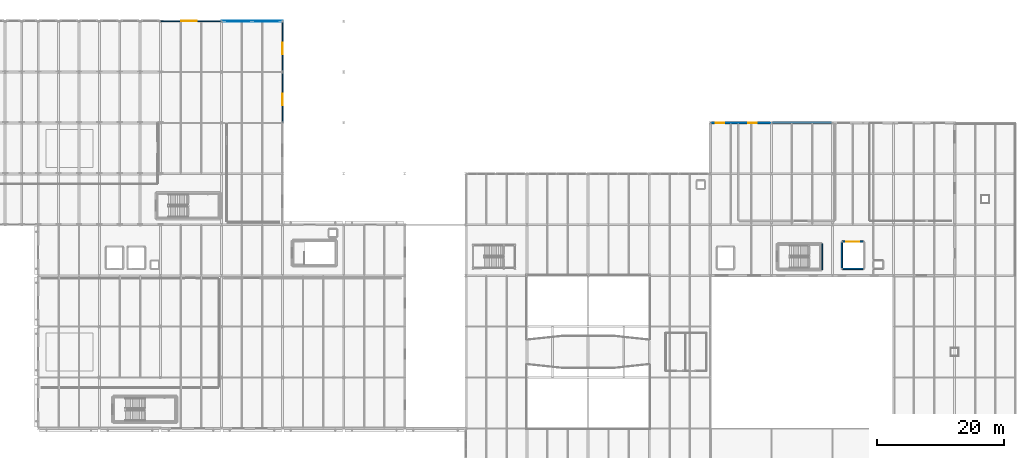
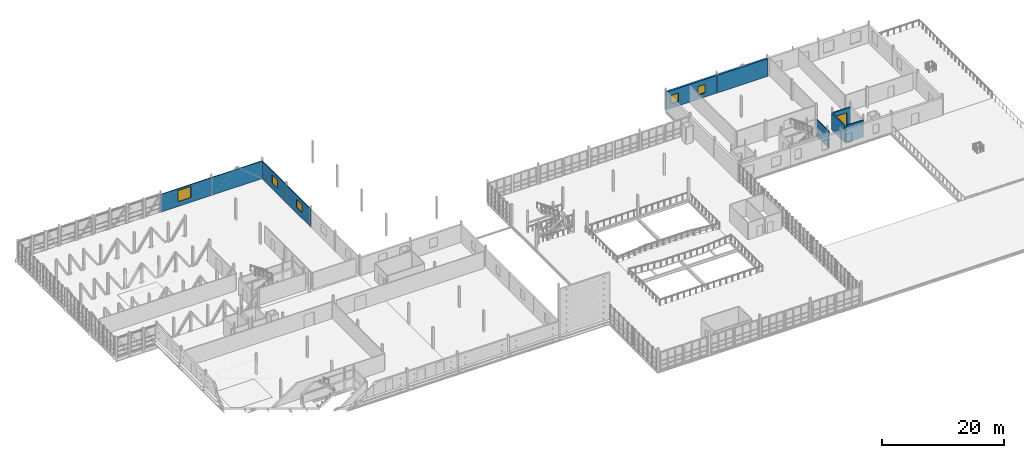
# One storey, part 63 of 73: 10 walls, 5 windows, 1 door, 6 openings.
"""IFC4 building model written with IfcOpenShell, lengths in metres."""

import ifcopenshell
import ifcopenshell.guid

model = None  # the IFC model being written
_history = None  # IfcOwnerHistory: only IFC2X3 demands one
_inside = {}  # id of a spatial element -> (the spatial element, [elements in it])
_under = {}  # id of a project, library or spatial element -> (it, [spatial elements below it])
_declared = {}  # id of a project -> (the project, [libraries it declares])
_typed = {}  # id of a type object -> (the type object, [elements of that type])
_made_of = {}  # id of a material, layer set ... -> (it, [elements and type objects made of it])


def new_model(schema):
    """Start an empty IFC model of exactly this schema.

    Asked for "IFC4X3", IfcOpenShell would pick the latest addendum, in which some entities
    have other attributes; the version numbers below select the first issue.
    IFC2X3 requires an IfcOwnerHistory on every rooted entity: one is made here for all.
    """
    global model, _history
    if schema == "IFC4X3":
        model = ifcopenshell.file(schema_version=(4, 3, 0, 0))
    else:
        model = ifcopenshell.file(schema=schema)
    _inside.clear()
    _under.clear()
    _declared.clear()
    _typed.clear()
    _made_of.clear()
    _history = None
    if model.schema == "IFC2X3":
        org = make("IfcOrganization", Name="unknown")
        user = make(
            "IfcPersonAndOrganization",
            ThePerson=make("IfcPerson", FamilyName="unknown"),
            TheOrganization=org,
        )
        app = make(
            "IfcApplication",
            ApplicationDeveloper=org,
            Version="unknown",
            ApplicationFullName="unknown",
            ApplicationIdentifier="unknown",
        )
        _history = make(
            "IfcOwnerHistory",
            OwningUser=user,
            OwningApplication=app,
            ChangeAction="ADDED",
            CreationDate=0,
        )
    return model


def make(cls, **values):
    """One entity of the class cls with the attributes given. An attribute that is None is left unset."""
    return model.create_entity(
        cls, **{name: value for name, value in values.items() if value is not None}
    )


def rooted(cls, **values):
    """An entity with a GlobalId (a new one), such as an element, a storey or a relation."""
    return make(cls, GlobalId=ifcopenshell.guid.new(), OwnerHistory=_history, **values)


def si_unit(unit_type, name, prefix=None):
    """IfcSIUnit, for example si_unit("LENGTHUNIT", "METRE", prefix="MILLI")."""
    return make("IfcSIUnit", UnitType=unit_type, Prefix=prefix, Name=name)


def assignment(units):
    """IfcUnitAssignment: the units of a project."""
    return None if units is None else make("IfcUnitAssignment", Units=units)


def point(xyz):
    """IfcCartesianPoint."""
    return None if xyz is None else make("IfcCartesianPoint", Coordinates=xyz)


def direction(xyz):
    """IfcDirection."""
    return None if xyz is None else make("IfcDirection", DirectionRatios=xyz)


def frame(location, z_axis=None, x_axis=None):
    """IfcAxis2Placement3D, a coordinate frame: its origin and axes. An axis left out is left unset."""
    return make(
        "IfcAxis2Placement3D",
        Location=point(location),
        Axis=direction(z_axis),
        RefDirection=direction(x_axis),
    )


def frame_2d(location, x_axis=None):
    """IfcAxis2Placement2D, a coordinate frame in the plane: its origin and x axis."""
    return make(
        "IfcAxis2Placement2D", Location=point(location), RefDirection=direction(x_axis)
    )


def origin():
    """The frame at (0, 0, 0) with its axes left unset."""
    return frame((0.0, 0.0, 0.0))


def place(relative_to, where):
    """IfcLocalPlacement: puts the frame where relative to a parent placement (None: the world)."""
    return make(
        "IfcLocalPlacement", PlacementRelTo=relative_to, RelativePlacement=where
    )


def context(
    kind, dimensions, precision=None, world=None, true_north=None, identifier=None
):
    """IfcGeometricRepresentationContext, for example the 3D "Model" context."""
    return make(
        "IfcGeometricRepresentationContext",
        ContextIdentifier=identifier,
        ContextType=kind,
        CoordinateSpaceDimension=dimensions,
        Precision=precision,
        WorldCoordinateSystem=world,
        TrueNorth=true_north,
    )


def subcontext(parent, identifier, kind, view, scale=None):
    """IfcGeometricRepresentationSubContext, for example "Body" below "Model"."""
    return make(
        "IfcGeometricRepresentationSubContext",
        ContextIdentifier=identifier,
        ContextType=kind,
        ParentContext=parent,
        TargetScale=scale,
        TargetView=view,
    )


def project(units=None, contexts=None):
    """IfcProject with its units and contexts."""
    return rooted(
        "IfcProject",
        Name="project",
        RepresentationContexts=contexts,
        UnitsInContext=assignment(units),
    )


def spatial(cls, under=None, at=None, **own):
    """A site, building, storey or space (cls), placed at a placement, below another one or the project."""
    s = rooted(cls, ObjectPlacement=at, **own)
    if under is not None:
        _under.setdefault(under.id(), (under, []))[1].append(s)
    return s


def profile(cls, at=None, kind="AREA", **sizes):
    """A parametric profile (cls). Its sizes go by their IFC names, for example OverallWidth=200.0."""
    return make(cls, ProfileType=kind, Position=at, **sizes)


def rectangle(**sizes):
    """IfcRectangleProfileDef."""
    return profile("IfcRectangleProfileDef", **sizes)


def extrude(swept, where, along, depth):
    """IfcExtrudedAreaSolid: the profile swept, set in the frame where, extruded along a direction by depth."""
    return make(
        "IfcExtrudedAreaSolid",
        SweptArea=swept,
        Position=where,
        ExtrudedDirection=direction(along),
        Depth=depth,
    )


def shape(context_of_items, identifier, shape_type, items):
    """IfcShapeRepresentation: the items that make up one representation, for example the "Body"."""
    return make(
        "IfcShapeRepresentation",
        ContextOfItems=context_of_items,
        RepresentationIdentifier=identifier,
        RepresentationType=shape_type,
        Items=items,
    )


def material(Name=None, Category=None):
    """IfcMaterial."""
    return make("IfcMaterial", Name=Name, Category=Category)


def layer(
    of_material, thickness, ventilated=None, Name=None, Category=None, Priority=None
):
    """IfcMaterialLayer: one layer of a wall or slab, of a material (None: an air gap)."""
    return make(
        "IfcMaterialLayer",
        Material=of_material,
        LayerThickness=thickness,
        IsVentilated=ventilated,
        Name=Name,
        Category=Category,
        Priority=Priority,
    )


def layer_set(layers, Name=None):
    """IfcMaterialLayerSet."""
    return make("IfcMaterialLayerSet", MaterialLayers=layers, LayerSetName=Name)


def made_of(thing, what):
    """Note that an element or type object is made of a material, layer set ...; save() writes the relation."""
    if what is not None:
        _made_of.setdefault(what.id(), (what, []))[1].append(thing)
    return thing


def type_object(cls, material=None, **own):
    """A type object (cls), such as IfcWallType, which elements share."""
    return made_of(rooted(cls, **own), material)


def element(
    cls,
    number,
    at=None,
    inside=None,
    cuts=None,
    type_object=None,
    material=None,
    context=None,
    identifier="Body",
    shape_type=None,
    held_by="IfcProductDefinitionShape",
    body=None,
    shapes=None,
    **own,
):
    """One element of the class cls, such as IfcWall. Its Tag is "e" and its number.

    at: its placement. inside: the storey or other place that contains it. cuts: it is an
    opening in that element (IfcRelVoidsElement). A single representation is given by context,
    identifier, shape_type and body (its items); several are given by shapes. held_by: the class
    of the entity that holds the representations. save() writes the other relations.
    """
    e = rooted(cls, Tag="e%d" % number, ObjectPlacement=at, **own)
    if body is not None:
        shapes = [shape(context, identifier, shape_type, body)]
    if shapes is not None:
        e.Representation = make(held_by, Representations=shapes)
    if inside is not None:
        _inside.setdefault(inside.id(), (inside, []))[1].append(e)
    if cuts is not None:
        rooted(
            "IfcRelVoidsElement", RelatingBuildingElement=cuts, RelatedOpeningElement=e
        )
    if type_object is not None:
        _typed.setdefault(type_object.id(), (type_object, []))[1].append(e)
    return made_of(e, material)


def fill(opening, filler):
    """IfcRelFillsElement: the door or window that sits in an opening."""
    return rooted(
        "IfcRelFillsElement",
        RelatingOpeningElement=opening,
        RelatedBuildingElement=filler,
    )


def aggregate(whole, parts):
    """IfcRelAggregates: a whole, such as a stair, and the parts it consists of."""
    return rooted("IfcRelAggregates", RelatingObject=whole, RelatedObjects=parts)


def save(model, path):
    """Write the relations noted so far, then the file.

    IfcRelAggregates (storeys below a building ...), IfcRelContainedInSpatialStructure (elements
    in a storey), IfcRelDefinesByType, IfcRelAssociatesMaterial and IfcRelDeclares: one each for
    every whole, place, type object, material and project.
    """
    for whole, parts in _under.values():
        aggregate(whole, parts)
    for where, things in _inside.values():
        rooted(
            "IfcRelContainedInSpatialStructure",
            RelatedElements=things,
            RelatingStructure=where,
        )
    for kind, things in _typed.values():
        rooted("IfcRelDefinesByType", RelatedObjects=things, RelatingType=kind)
    for what, things in _made_of.values():
        rooted("IfcRelAssociatesMaterial", RelatedObjects=things, RelatingMaterial=what)
    for by, libraries in _declared.values():
        rooted("IfcRelDeclares", RelatingContext=by, RelatedDefinitions=libraries)
    model.write(path)


model = new_model("IFC4")

# Units and contexts
model_context = context("Model", 3, precision=1e-05, world=origin(), true_north=direction((0.0, 1.0)))
body_context = subcontext(model_context, "Body", "Model", "MODEL_VIEW")
ifc_project = project(units=[si_unit("LENGTHUNIT", "METRE"), si_unit("AREAUNIT", "SQUARE_METRE"), si_unit("VOLUMEUNIT", "CUBIC_METRE"), si_unit("PLANEANGLEUNIT", "RADIAN"), si_unit("MASSUNIT", "GRAM", prefix="KILO")], contexts=[model_context])

# Site, building, storey
site_placement = place(None, origin())
site = spatial("IfcSite", under=ifc_project, at=site_placement, CompositionType="ELEMENT")
building_placement = place(site_placement, origin())
building = spatial("IfcBuilding", under=site, at=building_placement, Name="Alderhovde Museum", CompositionType="ELEMENT")
storey_placement = place(building_placement, frame((0.0, 0.0, 12.89990234375)))
storey = spatial("IfcBuildingStorey", under=building, at=storey_placement, Name="L03", CompositionType="ELEMENT", Elevation=12.89990234375)

# Wall, opening, window
ifc_material_1 = material(Name="Limestone Ashlar Rainscreen Wall", Category="masonry")
ifc_layer_1 = layer(ifc_material_1, 0.14990234375)
ifc_layer_set_1 = layer_set([ifc_layer_1], Name="Limestone Ashlar Rainscreen Wall")
wall_type_1 = type_object("IfcWallType", Name="EW-LIME-340", PredefinedType="SOLIDWALL", material=ifc_layer_set_1)
wall_1_placement = place(storey_placement, frame((28.820068359375, 112.0, 0.0), z_axis=(0.0, 0.0, 1.0), x_axis=(1.0, 0.0, 0.0)))
wall_1 = element("IfcWall", 1, at=wall_1_placement, inside=storey, type_object=wall_type_1, Name="L03 Paleontology North Pier Wall 154", PredefinedType="SOLIDWALL", context=body_context, shape_type="SweptSolid", body=[
    extrude(rectangle(XDim=9.559814453125, YDim=0.14990234375, at=frame_2d((4.77978515625, 0.0))), origin(), (0.0, 0.0, 1.0), 3.5400390625),
])
opening_1_placement = place(wall_1_placement, frame((3.25, 0.0, 0.949951171875)))
opening_1 = element("IfcOpeningElement", 2, at=opening_1_placement, cuts=wall_1, Name="Opening W15", PredefinedType="OPENING", context=body_context, shape_type="SweptSolid", body=[
    extrude(rectangle(XDim=2.39990234375, YDim=2.199951171875, at=frame_2d((1.199951171875, 1.10009765625))), frame((0.0, 0.0849609375, 0.0), z_axis=(0.0, -1.0, 0.0), x_axis=(1.0, 0.0, 0.0)), (0.0, 0.0, 1.0), 0.169921875),
])
ifc_material_2 = material(Name="Triple-Glazed Low-E Bronze-Anodised Aluminium", Category="aluminium")
window_type_1 = type_object("IfcWindowType", Name="WIN-LAB-2400x2200", PartitioningType="DOUBLE_PANEL_VERTICAL", PredefinedType="WINDOW", material=ifc_material_2)
window_1_placement = place(opening_1_placement, origin())
window_1 = element("IfcWindow", 3, at=window_1_placement, inside=storey, type_object=window_type_1, Name="L03 Facade Window 135", OverallHeight=2.199951171875, OverallWidth=2.39990234375, PartitioningType="SINGLE_PANEL", PredefinedType="WINDOW", context=body_context, shape_type="SweptSolid", body=[
    extrude(rectangle(XDim=2.39990234375, YDim=2.199951171875, at=frame_2d((1.199951171875, 1.10009765625))), frame((0.0, 0.030029296875, 0.0), z_axis=(0.0, -1.0, 0.0), x_axis=(1.0, 0.0, 0.0)), (0.0, 0.0, 1.0), 0.06005859375),
])
fill(opening_1, window_1)

# Wall
wall_2_placement = place(storey_placement, frame((38.419921875, 112.0, 0.0), z_axis=(0.0, 0.0, 1.0), x_axis=(1.0, 0.0, 0.0)))
element("IfcWall", 4, at=wall_2_placement, inside=storey, type_object=wall_type_1, Name="L03 Paleontology North Pier Wall 155", PredefinedType="SOLIDWALL", context=body_context, shape_type="SweptSolid", body=[
    extrude(rectangle(XDim=9.56005859375, YDim=0.14990234375, at=frame_2d((4.780029296875, 0.0))), origin(), (0.0, 0.0, 1.0), 3.5400390625),
])

# Wall, opening, window
wall_3_placement = place(storey_placement, frame((48.0, 96.02001953125, 0.0), z_axis=(0.0, 0.0, 1.0), x_axis=(0.0, 1.0, 0.0)))
wall_3 = element("IfcWall", 5, at=wall_3_placement, inside=storey, type_object=wall_type_1, Name="L03 Paleontology East Step Wall 158", PredefinedType="SOLIDWALL", context=body_context, shape_type="SweptSolid", body=[
    extrude(rectangle(XDim=7.9599609375, YDim=0.14990234375, at=frame_2d((3.97998046875, 0.0))), origin(), (0.0, 0.0, 1.0), 3.5400390625),
])
opening_2_placement = place(wall_3_placement, frame((2.75, 0.0, 1.14990234375)))
opening_2 = element("IfcOpeningElement", 6, at=opening_2_placement, cuts=wall_3, Name="Opening W13", PredefinedType="OPENING", context=body_context, shape_type="SweptSolid", body=[
    extrude(rectangle(XDim=1.800048828125, YDim=1.60009765625, at=frame_2d((0.89990234375, 0.800048828125))), frame((0.0, 0.0849609375, 0.0), z_axis=(0.0, -1.0, 0.0), x_axis=(1.0, 0.0, 0.0)), (0.0, 0.0, 1.0), 0.169921875),
])
ifc_material_3 = material(Name="Triple-Glazed Low-E Bronze-Anodised Aluminium", Category="aluminium")
window_type_2 = type_object("IfcWindowType", Name="WIN-ATT-1800x1600", PartitioningType="DOUBLE_PANEL_VERTICAL", PredefinedType="WINDOW", material=ifc_material_3)
window_2_placement = place(opening_2_placement, origin())
window_2 = element("IfcWindow", 7, at=window_2_placement, inside=storey, type_object=window_type_2, Name="L03 Facade Window 138", OverallHeight=1.60009765625, OverallWidth=1.800048828125, PartitioningType="SINGLE_PANEL", PredefinedType="WINDOW", context=body_context, shape_type="SweptSolid", body=[
    extrude(rectangle(XDim=1.800048828125, YDim=1.60009765625, at=frame_2d((0.89990234375, 0.800048828125))), frame((0.0, 0.030029296875, 0.0), z_axis=(0.0, -1.0, 0.0), x_axis=(1.0, 0.0, 0.0)), (0.0, 0.0, 1.0), 0.06005859375),
])
fill(opening_2, window_2)

wall_4_placement = place(storey_placement, frame((48.0, 104.02001953125, 0.0), z_axis=(0.0, 0.0, 1.0), x_axis=(0.0, 1.0, 0.0)))
wall_4 = element("IfcWall", 8, at=wall_4_placement, inside=storey, type_object=wall_type_1, Name="L03 Paleontology East Step Wall 159", PredefinedType="SOLIDWALL", context=body_context, shape_type="SweptSolid", body=[
    extrude(rectangle(XDim=7.9599609375, YDim=0.14990234375, at=frame_2d((3.97998046875, 0.0))), origin(), (0.0, 0.0, 1.0), 3.5400390625),
])
opening_3_placement = place(wall_4_placement, frame((2.75, 0.0, 1.14990234375)))
opening_3 = element("IfcOpeningElement", 9, at=opening_3_placement, cuts=wall_4, Name="Opening W13", PredefinedType="OPENING", context=body_context, shape_type="SweptSolid", body=[
    extrude(rectangle(XDim=1.800048828125, YDim=1.60009765625, at=frame_2d((0.89990234375, 0.800048828125))), frame((0.0, 0.0849609375, 0.0), z_axis=(0.0, -1.0, 0.0), x_axis=(1.0, 0.0, 0.0)), (0.0, 0.0, 1.0), 0.169921875),
])
window_3_placement = place(opening_3_placement, origin())
window_3 = element("IfcWindow", 10, at=window_3_placement, inside=storey, type_object=window_type_2, Name="L03 Facade Window 139", OverallHeight=1.60009765625, OverallWidth=1.800048828125, PartitioningType="SINGLE_PANEL", PredefinedType="WINDOW", context=body_context, shape_type="SweptSolid", body=[
    extrude(rectangle(XDim=1.800048828125, YDim=1.60009765625, at=frame_2d((0.89990234375, 0.800048828125))), frame((0.0, 0.030029296875, 0.0), z_axis=(0.0, -1.0, 0.0), x_axis=(1.0, 0.0, 0.0)), (0.0, 0.0, 1.0), 0.06005859375),
])
fill(opening_3, window_3)

# Wall, openings, windows
ifc_material_4 = material(Name="Fluted Jura Limestone Beaux-Arts Wall", Category="masonry")
ifc_layer_2 = layer(ifc_material_4, 0.3798828125)
ifc_layer_set_2 = layer_set([ifc_layer_2], Name="Fluted Jura Limestone Beaux-Arts Wall")
wall_type_2 = type_object("IfcWallType", Name="EW-LIME-380", PredefinedType="SOLIDWALL", material=ifc_layer_set_2)
wall_5_placement = place(storey_placement, frame((115.219970703125, 96.0, 0.0), z_axis=(0.0, 0.0, 1.0), x_axis=(1.0, 0.0, 0.0)))
wall_5 = element("IfcWall", 11, at=wall_5_placement, inside=storey, type_object=wall_type_2, Name="L03 Conservation North Beaux-Arts Wall 238", PredefinedType="SOLIDWALL", context=body_context, shape_type="SweptSolid", body=[
    extrude(rectangle(XDim=9.56005859375, YDim=0.3798828125, at=frame_2d((4.780029296875, 0.0))), origin(), (0.0, 0.0, 1.0), 3.5400390625),
])
opening_4_placement = place(wall_5_placement, frame((0.85009765625, 0.0, 0.85009765625)))
opening_4 = element("IfcOpeningElement", 12, at=opening_4_placement, cuts=wall_5, Name="Opening W28", PredefinedType="OPENING", context=body_context, shape_type="SweptSolid", body=[
    extrude(rectangle(XDim=1.35009765625, YDim=1.699951171875, at=frame_2d((0.675048828125, 0.85009765625))), frame((0.0, 0.199951171875, 0.0), z_axis=(0.0, -1.0, 0.0), x_axis=(1.0, 0.0, 0.0)), (0.0, 0.0, 1.0), 0.39990234375),
])
opening_5_placement = place(wall_5_placement, frame((5.949951171875, 0.0, 0.85009765625)))
opening_5 = element("IfcOpeningElement", 13, at=opening_5_placement, cuts=wall_5, Name="Opening W28", PredefinedType="OPENING", context=body_context, shape_type="SweptSolid", body=[
    extrude(rectangle(XDim=1.35009765625, YDim=1.699951171875, at=frame_2d((0.675048828125, 0.85009765625))), frame((0.0, 0.199951171875, 0.0), z_axis=(0.0, -1.0, 0.0), x_axis=(1.0, 0.0, 0.0)), (0.0, 0.0, 1.0), 0.39990234375),
])
ifc_material_5 = material(Name="Triple-Glazed Low-E Bronze-Anodised Aluminium", Category="aluminium")
window_type_3 = type_object("IfcWindowType", Name="WIN-LAB-1350x1700", PartitioningType="SINGLE_PANEL", PredefinedType="WINDOW", material=ifc_material_5)
window_4_placement = place(opening_4_placement, origin())
window_4 = element("IfcWindow", 14, at=window_4_placement, inside=storey, type_object=window_type_3, Name="L03 Facade Window 226", OverallHeight=1.699951171875, OverallWidth=1.35009765625, PartitioningType="SINGLE_PANEL", PredefinedType="WINDOW", context=body_context, shape_type="SweptSolid", body=[
    extrude(rectangle(XDim=1.35009765625, YDim=1.699951171875, at=frame_2d((0.675048828125, 0.85009765625))), frame((0.0, 0.030029296875, 0.0), z_axis=(0.0, -1.0, 0.0), x_axis=(1.0, 0.0, 0.0)), (0.0, 0.0, 1.0), 0.06005859375),
])
fill(opening_4, window_4)
window_5_placement = place(opening_5_placement, origin())
window_5 = element("IfcWindow", 15, at=window_5_placement, inside=storey, type_object=window_type_3, Name="L03 Facade Window 227", OverallHeight=1.699951171875, OverallWidth=1.35009765625, PartitioningType="SINGLE_PANEL", PredefinedType="WINDOW", context=body_context, shape_type="SweptSolid", body=[
    extrude(rectangle(XDim=1.35009765625, YDim=1.699951171875, at=frame_2d((0.675048828125, 0.85009765625))), frame((0.0, 0.030029296875, 0.0), z_axis=(0.0, -1.0, 0.0), x_axis=(1.0, 0.0, 0.0)), (0.0, 0.0, 1.0), 0.06005859375),
])
fill(opening_5, window_5)

# Walls
wall_6_placement = place(storey_placement, frame((124.820068359375, 96.0, 0.0), z_axis=(0.0, 0.0, 1.0), x_axis=(1.0, 0.0, 0.0)))
element("IfcWall", 16, at=wall_6_placement, inside=storey, type_object=wall_type_2, Name="L03 Conservation North Beaux-Arts Wall 239", PredefinedType="SOLIDWALL", context=body_context, shape_type="SweptSolid", body=[
    extrude(rectangle(XDim=9.559814453125, YDim=0.3798828125, at=frame_2d((4.77978515625, 0.0))), origin(), (0.0, 0.0, 1.0), 3.5400390625),
])
ifc_material_6 = material(Name="Concrete C40/50 and Fireboard Shaft Wall", Category="concrete")
ifc_layer_3 = layer(ifc_material_6, 0.22998046875)
ifc_layer_set_3 = layer_set([ifc_layer_3], Name="Concrete C40/50 and Fireboard Shaft Wall")
wall_type_3 = type_object("IfcWallType", Name="IW-SHAFT-230", PredefinedType="SOLIDWALL", material=ifc_layer_set_3)
wall_7_placement = place(storey_placement, frame((135.93994140625, 73.06005859375, 0.0), z_axis=(0.0, 0.0, 1.0), x_axis=(1.0, 0.0, 0.0)))
element("IfcWall", 17, at=wall_7_placement, inside=storey, type_object=wall_type_3, Name="L03 Goods Lift Shaft Wall South", PredefinedType="SOLIDWALL", context=body_context, shape_type="SweptSolid", body=[
    extrude(rectangle(XDim=3.320068359375, YDim=0.22998046875, at=frame_2d((1.66015625, 0.0))), origin(), (0.0, 0.0, 1.0), 3.380126953125),
])

# Wall, opening, door
wall_8_placement = place(storey_placement, frame((135.93994140625, 77.340087890625, 0.0), z_axis=(0.0, 0.0, 1.0), x_axis=(1.0, 0.0, 0.0)))
wall_8 = element("IfcWall", 18, at=wall_8_placement, inside=storey, type_object=wall_type_3, Name="L03 Goods Lift Shaft Wall North", PredefinedType="SOLIDWALL", context=body_context, shape_type="SweptSolid", body=[
    extrude(rectangle(XDim=3.320068359375, YDim=0.22998046875, at=frame_2d((1.66015625, 0.0))), origin(), (0.0, 0.0, 1.0), 3.380126953125),
])
opening_6_placement = place(wall_8_placement, frame((0.659912109375, 0.0, 0.0)))
opening_6 = element("IfcOpeningElement", 19, at=opening_6_placement, cuts=wall_8, Name="Opening LD-2", PredefinedType="OPENING", context=body_context, shape_type="SweptSolid", body=[
    extrude(rectangle(XDim=2.0, YDim=2.5, at=frame_2d((1.0, 1.25))), frame((0.0, 0.125, 0.0), z_axis=(0.0, -1.0, 0.0), x_axis=(1.0, 0.0, 0.0)), (0.0, 0.0, 1.0), 0.25),
])
ifc_material_7 = material(Name="Goods Lift Sliding Landing Door (Steel/Oak)", Category="steel")
door_type = type_object("IfcDoorType", Name="LD-GOODS-2000x2500", OperationType="SLIDING_TO_RIGHT", PredefinedType="DOOR", material=ifc_material_7)
door_placement = place(opening_6_placement, origin())
door = element("IfcDoor", 20, at=door_placement, inside=storey, type_object=door_type, Name="L03 Goods Lift Landing Door", OperationType="SLIDING_TO_RIGHT", OverallHeight=2.5, OverallWidth=2.0, PredefinedType="DOOR", context=body_context, shape_type="SweptSolid", body=[
    extrude(rectangle(XDim=2.0, YDim=2.5, at=frame_2d((1.0, 1.25))), frame((0.0, 0.02490234375, 0.0), z_axis=(0.0, -1.0, 0.0), x_axis=(1.0, 0.0, 0.0)), (0.0, 0.0, 1.0), 0.050048828125),
])
fill(opening_6, door)

# Walls
wall_9_placement = place(storey_placement, frame((135.860107421875, 73.139892578125, 0.0), z_axis=(0.0, 0.0, 1.0), x_axis=(0.0, 1.0, 0.0)))
element("IfcWall", 21, at=wall_9_placement, inside=storey, type_object=wall_type_3, Name="L03 Goods Lift Shaft Wall West", PredefinedType="SOLIDWALL", context=body_context, shape_type="SweptSolid", body=[
    extrude(rectangle(XDim=4.1201171875, YDim=0.22998046875, at=frame_2d((2.06005859375, 0.0))), origin(), (0.0, 0.0, 1.0), 3.380126953125),
])
ifc_material_8 = material(Name="Fire-Resisting Stair Lobby Wall")
ifc_layer_4 = layer(ifc_material_8, 0.169921875)
ifc_layer_set_4 = layer_set([ifc_layer_4], Name="Fire-Resisting Stair Lobby Wall")
wall_type_4 = type_object("IfcWallType", Name="IW-STAIR-170", PredefinedType="SOLIDWALL", material=ifc_layer_set_4)
wall_10_placement = place(storey_placement, frame((132.780029296875, 72.9599609375, 0.0), z_axis=(0.0, 0.0, 1.0), x_axis=(0.0, 1.0, 0.0)))
element("IfcWall", 22, at=wall_10_placement, inside=storey, type_object=wall_type_4, Name="L03 Escape Stair ST4 Fire Wall E", PredefinedType="SOLIDWALL", context=body_context, shape_type="SweptSolid", body=[
    extrude(rectangle(XDim=4.0400390625, YDim=0.169921875, at=frame_2d((2.02001953125, 0.0))), origin(), (0.0, 0.0, 1.0), 3.380126953125),
])

save(model, "model.ifc")
